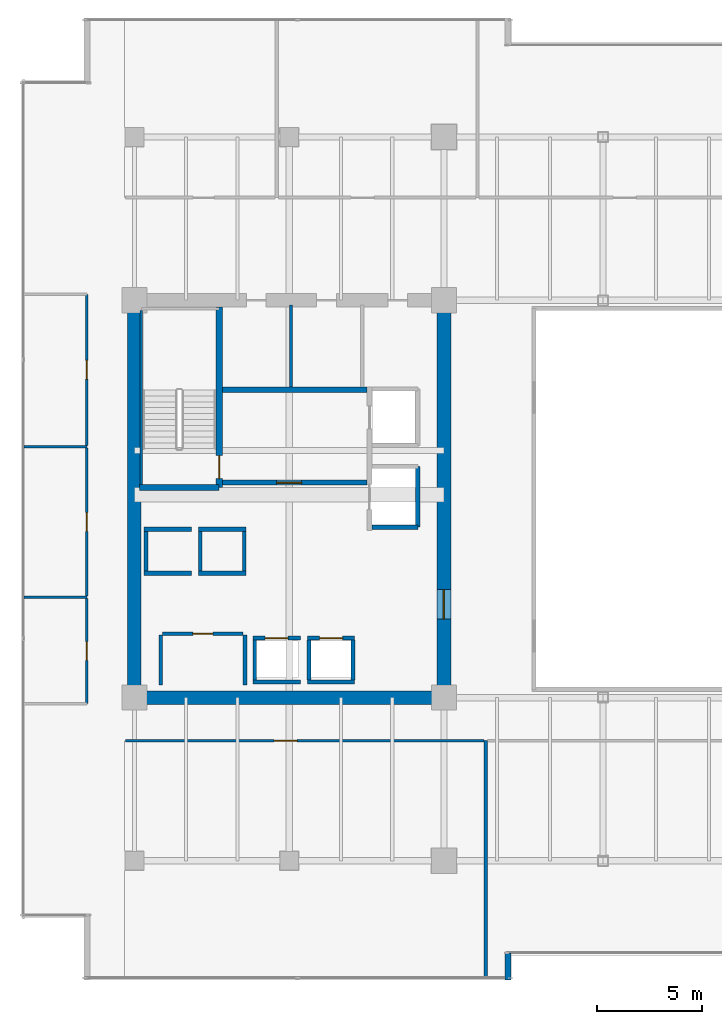
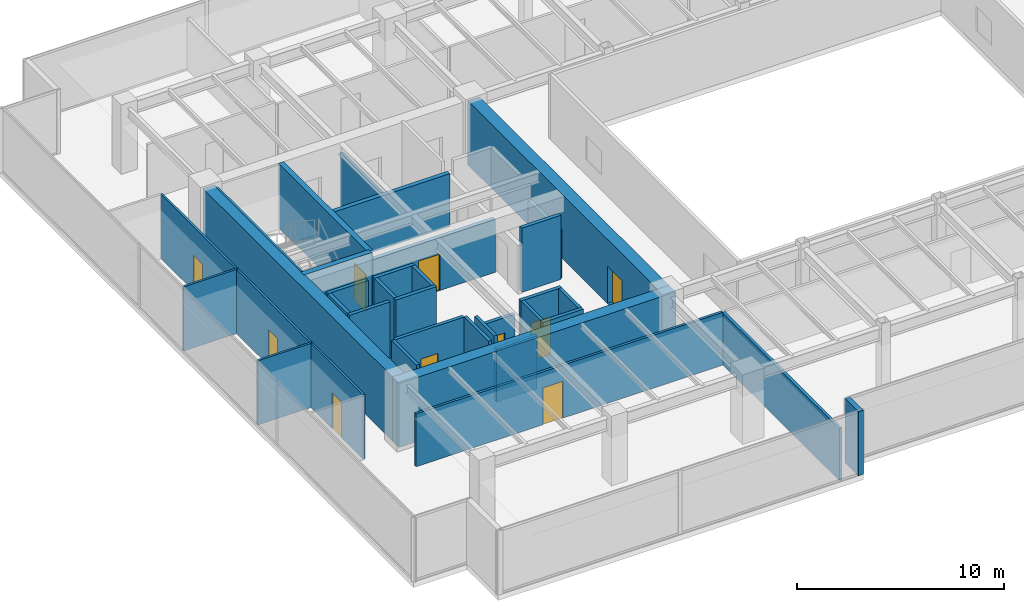
# One storey, part 25 of 33: 36 walls, 10 doors, 10 openings.
"""IFC4 building model written with IfcOpenShell, lengths in metres."""

from ifc_helpers import new_model, si_unit, direction, frame, frame_2d, origin, place, context, subcontext, project, spatial, rectangle, extrude, source, transform, mapped, material, layer, layer_set, type_object, type_shapes, element, fill, save


model = new_model("IFC4")

# Units and contexts
model_context = context("Model", 3, precision=1e-05, world=origin(), true_north=direction((0.0, 1.0)))
body_context = subcontext(model_context, "Body", "Model", "MODEL_VIEW")
ifc_project = project(units=[si_unit("LENGTHUNIT", "METRE"), si_unit("AREAUNIT", "SQUARE_METRE"), si_unit("VOLUMEUNIT", "CUBIC_METRE"), si_unit("PLANEANGLEUNIT", "RADIAN"), si_unit("MASSUNIT", "GRAM", prefix="KILO")], contexts=[model_context])

# Site, building, storey
site_placement = place(None, origin())
site = spatial("IfcSite", under=ifc_project, at=site_placement, CompositionType="ELEMENT")
building_placement = place(site_placement, origin())
building = spatial("IfcBuilding", under=site, at=building_placement, Name="Haelvirn Gate Laboratories", CompositionType="ELEMENT")
storey_placement = place(building_placement, frame((0.0, 0.0, 133.800048828125)))
storey = spatial("IfcBuildingStorey", under=building, at=storey_placement, Name="L32", CompositionType="ELEMENT", Elevation=133.800048828125)

# Walls
ifc_material_1 = material(Name="Thermally-broken bronze aluminium rainscreen & mineral wool", Category="aluminium")
ifc_layer_1 = layer(ifc_material_1, 0.280029296875, Name="EW-TERR-280")
ifc_layer_set_1 = layer_set([ifc_layer_1], Name="Thermally-broken bronze aluminium rainscreen & mineral wool")
wall_type_1 = type_object("IfcWallType", Name="EW-TERR-280", PredefinedType="STANDARD", material=ifc_layer_set_1)
wall_1_placement = place(storey_placement, frame((25.260009765625, 1.300048828125, 0.0), z_axis=(0.0, 0.0, 1.0), x_axis=(0.0, 1.0, 0.0)))
element("IfcWall", 1, at=wall_1_placement, inside=storey, type_object=wall_type_1, Name="L32 Atrium Recess Bronze Return Wall 01", PredefinedType="STANDARD", context=body_context, shape_type="SweptSolid", body=[
    extrude(rectangle(XDim=1.287841796875, YDim=0.280029296875, at=frame_2d((0.64404296875, 0.0))), origin(), (0.0, 0.0, 1.0), 3.7900390625),
])
ifc_material_2 = material(Name="Double-layer acoustic gypsum laboratory partition", Category="gypsum")
ifc_layer_2 = layer(ifc_material_2, 0.159912109375, Name="IW-ACOUST-160")
ifc_layer_set_2 = layer_set([ifc_layer_2], Name="Double-layer acoustic gypsum laboratory partition")
wall_type_2 = type_object("IfcWallType", Name="IW-ACOUST-160", PredefinedType="PARTITIONING", material=ifc_layer_set_2)
wall_2_placement = place(storey_placement, frame((24.199951171875, 1.409912109375, 0.0), z_axis=(0.0, 0.0, 1.0), x_axis=(0.0, 1.0, 0.0)))
element("IfcWall", 2, at=wall_2_placement, inside=storey, type_object=wall_type_2, Name="L32 Interior Wall IW-L32-SDIV-01", PredefinedType="PARTITIONING", context=body_context, shape_type="SweptSolid", body=[
    extrude(rectangle(XDim=11.330078125, YDim=0.159912109375, at=frame_2d((5.6650390625, 0.0))), origin(), (0.0, 0.0, 1.0), 3.074951171875),
])

# Wall, opening, door
ifc_material_3 = material(Name="Lightweight acoustic gypsum board partition", Category="gypsum")
ifc_layer_3 = layer(ifc_material_3, 0.1201171875, Name="IW-PART-120")
ifc_layer_set_3 = layer_set([ifc_layer_3], Name="Lightweight acoustic gypsum board partition")
wall_type_3 = type_object("IfcWallType", Name="IW-PART-120", PredefinedType="PARTITIONING", material=ifc_layer_set_3)
wall_3_placement = place(storey_placement, frame((5.1298828125, 14.514892578125, 0.0), z_axis=(0.0, 0.0, 1.0), x_axis=(0.0, 1.0, 0.0)))
wall_3 = element("IfcWall", 3, at=wall_3_placement, inside=storey, type_object=wall_type_3, Name="L32 Interior Wall IW-L32-WPASS-01", PredefinedType="PARTITIONING", context=body_context, shape_type="SweptSolid", body=[
    extrude(rectangle(XDim=5.025146484375, YDim=0.1201171875, at=frame_2d((2.5126953125, 0.0))), origin(), (0.0, 0.0, 1.0), 3.7900390625),
])
opening_1_placement = place(wall_3_placement, frame((2.0625, 0.0, 0.0)))
opening_1 = element("IfcOpeningElement", 4, at=opening_1_placement, cuts=wall_3, Name="Opening D4", PredefinedType="OPENING", context=body_context, shape_type="SweptSolid", body=[
    extrude(rectangle(XDim=0.89990234375, YDim=2.10009765625, at=frame_2d((0.449951171875, 1.050048828125))), frame((0.0, 0.070068359375, 0.0), z_axis=(0.0, -1.0, 0.0), x_axis=(1.0, 0.0, 0.0)), (0.0, 0.0, 1.0), 0.14013671875),
])
ifc_material_4 = material(Name="Glazed aluminium-framed write-up door", Category="aluminium")
door_type_1 = type_object("IfcDoorType", Name="DR-OFF-900", OperationType="NOTDEFINED", PredefinedType="DOOR", material=ifc_material_4)
shared_shape_1 = source(origin(), body_context, "Body", "SweptSolid", [
    extrude(rectangle(XDim=0.89990234375, YDim=2.10009765625, at=frame_2d((0.449951171875, 1.050048828125))), frame((0.0, 0.02490234375, 0.0), z_axis=(0.0, -1.0, 0.0), x_axis=(1.0, 0.0, 0.0)), (0.0, 0.0, 1.0), 0.050048828125),
])
type_shapes(door_type_1, [shared_shape_1])
door_1_placement = place(opening_1_placement, origin())
door_1 = element("IfcDoor", 5, at=door_1_placement, inside=storey, type_object=door_type_1, Name="L32 Bioprocess Foundry Laboratory Door W1", OperationType="SINGLE_SWING_LEFT", OverallHeight=2.10009765625, OverallWidth=0.89990234375, PredefinedType="DOOR", context=body_context, shape_type="MappedRepresentation", body=[
    mapped(shared_shape_1, transform((0.0, 0.0, 0.0), scale=1.0)),
])
fill(opening_1, door_1)

# Wall
wall_4_placement = place(storey_placement, frame((2.110107421875, 19.60009765625, 0.0), z_axis=(0.0, 0.0, 1.0), x_axis=(1.0, 0.0, 0.0)))
element("IfcWall", 6, at=wall_4_placement, inside=storey, type_object=wall_type_3, Name="L32 Interior Wall IW-L32-WDIV-01", PredefinedType="PARTITIONING", context=body_context, shape_type="SweptSolid", body=[
    extrude(rectangle(XDim=3.019775390625, YDim=0.1201171875, at=frame_2d((1.509765625, 0.0))), origin(), (0.0, 0.0, 1.0), 3.7900390625),
])

# Wall, opening, door
wall_5_placement = place(storey_placement, frame((5.1298828125, 19.659912109375, 0.0), z_axis=(0.0, 0.0, 1.0), x_axis=(0.0, 1.0, 0.0)))
wall_5 = element("IfcWall", 7, at=wall_5_placement, inside=storey, type_object=wall_type_3, Name="L32 Interior Wall IW-L32-WPASS-02", PredefinedType="PARTITIONING", context=body_context, shape_type="SweptSolid", body=[
    extrude(rectangle(XDim=7.080078125, YDim=0.1201171875, at=frame_2d((3.5400390625, 0.0))), origin(), (0.0, 0.0, 1.0), 3.7900390625),
])
opening_2_placement = place(wall_5_placement, frame((3.090087890625, 0.0, 0.0)))
opening_2 = element("IfcOpeningElement", 8, at=opening_2_placement, cuts=wall_5, Name="Opening D4", PredefinedType="OPENING", context=body_context, shape_type="SweptSolid", body=[
    extrude(rectangle(XDim=0.89990234375, YDim=2.10009765625, at=frame_2d((0.449951171875, 1.050048828125))), frame((0.0, 0.070068359375, 0.0), z_axis=(0.0, -1.0, 0.0), x_axis=(1.0, 0.0, 0.0)), (0.0, 0.0, 1.0), 0.14013671875),
])
door_2_placement = place(opening_2_placement, origin())
door_2 = element("IfcDoor", 9, at=door_2_placement, inside=storey, type_object=door_type_1, Name="L32 Genomics Assay Laboratory Door W2", OperationType="SINGLE_SWING_RIGHT", OverallHeight=2.10009765625, OverallWidth=0.89990234375, PredefinedType="DOOR", context=body_context, shape_type="MappedRepresentation", body=[
    mapped(shared_shape_1, transform((0.0, 0.0, 0.0), scale=1.0)),
])
fill(opening_2, door_2)

# Wall
wall_6_placement = place(storey_placement, frame((2.110107421875, 26.800048828125, 0.0), z_axis=(0.0, 0.0, 1.0), x_axis=(1.0, 0.0, 0.0)))
element("IfcWall", 10, at=wall_6_placement, inside=storey, type_object=wall_type_3, Name="L32 Interior Wall IW-L32-WDIV-02", PredefinedType="PARTITIONING", context=body_context, shape_type="SweptSolid", body=[
    extrude(rectangle(XDim=3.019775390625, YDim=0.1201171875, at=frame_2d((1.509765625, 0.0))), origin(), (0.0, 0.0, 1.0), 3.7900390625),
])

# Wall, opening, door
wall_7_placement = place(storey_placement, frame((5.1298828125, 26.860107421875, 0.0), z_axis=(0.0, 0.0, 1.0), x_axis=(0.0, 1.0, 0.0)))
wall_7 = element("IfcWall", 11, at=wall_7_placement, inside=storey, type_object=wall_type_3, Name="L32 Interior Wall IW-L32-WPASS-03", PredefinedType="PARTITIONING", context=body_context, shape_type="SweptSolid", body=[
    extrude(rectangle(XDim=7.224853515625, YDim=0.1201171875, at=frame_2d((3.6123046875, 0.0))), origin(), (0.0, 0.0, 1.0), 3.7900390625),
])
opening_3_placement = place(wall_7_placement, frame((3.16259765625, 0.0, 0.0)))
opening_3 = element("IfcOpeningElement", 12, at=opening_3_placement, cuts=wall_7, Name="Opening D4", PredefinedType="OPENING", context=body_context, shape_type="SweptSolid", body=[
    extrude(rectangle(XDim=0.89990234375, YDim=2.10009765625, at=frame_2d((0.449951171875, 1.050048828125))), frame((0.0, 0.070068359375, 0.0), z_axis=(0.0, -1.0, 0.0), x_axis=(1.0, 0.0, 0.0)), (0.0, 0.0, 1.0), 0.14013671875),
])
door_3_placement = place(opening_3_placement, origin())
door_3 = element("IfcDoor", 13, at=door_3_placement, inside=storey, type_object=door_type_1, Name="L32 Proteomics Mass-Spec Laboratory Door W3", OperationType="SINGLE_SWING_LEFT", OverallHeight=2.10009765625, OverallWidth=0.89990234375, PredefinedType="DOOR", context=body_context, shape_type="MappedRepresentation", body=[
    mapped(shared_shape_1, transform((0.0, 0.0, 0.0), scale=1.0)),
])
fill(opening_3, door_3)

ifc_material_5 = material(Name="Acoustic mineral-wool gypsum board partition", Category="gypsum")
ifc_layer_4 = layer(ifc_material_5, 0.139892578125, Name="IW-PART-140")
ifc_layer_set_4 = layer_set([ifc_layer_4], Name="Acoustic mineral-wool gypsum board partition")
wall_type_4 = type_object("IfcWallType", Name="IW-PART-140", PredefinedType="PARTITIONING", material=ifc_layer_set_4)
wall_8_placement = place(storey_placement, frame((6.97998046875, 12.739990234375, 0.0), z_axis=(0.0, 0.0, 1.0), x_axis=(1.0, 0.0, 0.0)))
wall_8 = element("IfcWall", 14, at=wall_8_placement, inside=storey, type_object=wall_type_4, Name="L32 Interior Wall IW-L32-SCORR-01", PredefinedType="PARTITIONING", context=body_context, shape_type="SweptSolid", body=[
    extrude(rectangle(XDim=17.14013671875, YDim=0.139892578125, at=frame_2d((8.570068359375, 0.0))), origin(), (0.0, 0.0, 1.0), 3.125),
])
opening_4_placement = place(wall_8_placement, frame((7.099609375, 0.0, 0.0)))
opening_4 = element("IfcOpeningElement", 15, at=opening_4_placement, cuts=wall_8, Name="Opening D1", PredefinedType="OPENING", context=body_context, shape_type="SweptSolid", body=[
    extrude(rectangle(XDim=1.10009765625, YDim=2.179931640625, at=frame_2d((0.550048828125, 1.08984375))), frame((0.0, 0.080078125, 0.0), z_axis=(0.0, -1.0, 0.0), x_axis=(1.0, 0.0, 0.0)), (0.0, 0.0, 1.0), 0.159912109375),
])
ifc_material_6 = material(Name="Vision-panel acoustic solid-core timber lab door", Category="wood")
door_type_2 = type_object("IfcDoorType", Name="DR-LAB-1100", OperationType="NOTDEFINED", PredefinedType="DOOR", material=ifc_material_6)
shared_shape_2 = source(origin(), body_context, "Body", "SweptSolid", [
    extrude(rectangle(XDim=1.10009765625, YDim=2.179931640625, at=frame_2d((0.550048828125, 1.08984375))), frame((0.0, 0.02490234375, 0.0), z_axis=(0.0, -1.0, 0.0), x_axis=(1.0, 0.0, 0.0)), (0.0, 0.0, 1.0), 0.050048828125),
])
type_shapes(door_type_2, [shared_shape_2])
door_4_placement = place(opening_4_placement, origin())
door_4 = element("IfcDoor", 16, at=door_4_placement, inside=storey, type_object=door_type_2, Name="L32 Bioinformatics Dry-Lab Workspace Door S1", OperationType="SINGLE_SWING_LEFT", OverallHeight=2.179931640625, OverallWidth=1.10009765625, PredefinedType="DOOR", context=body_context, shape_type="MappedRepresentation", body=[
    mapped(shared_shape_2, transform((0.0, 0.0, 0.0), scale=1.0)),
])
fill(opening_4, door_4)

# Walls
ifc_material_7 = material(Name="Cement-board restroom plumbing chase wall", Category="gypsum")
ifc_layer_5 = layer(ifc_material_7, 0.155029296875, Name="IW-PLUMB-160")
ifc_layer_set_5 = layer_set([ifc_layer_5], Name="Cement-board restroom plumbing chase wall")
wall_type_5 = type_object("IfcWallType", Name="IW-PLUMB-160", PredefinedType="PLUMBINGWALL", material=ifc_layer_set_5)
wall_9_placement = place(storey_placement, frame((14.889892578125, 29.64990234375, 0.0), z_axis=(0.0, 0.0, 1.0), x_axis=(0.0, 1.0, 0.0)))
element("IfcWall", 17, at=wall_9_placement, inside=storey, type_object=wall_type_5, Name="L32 Interior Wall IW-L32-W-CDIV-1", PredefinedType="PLUMBINGWALL", context=body_context, shape_type="SweptSolid", body=[
    extrude(rectangle(XDim=3.93017578125, YDim=0.155029296875, at=frame_2d((1.965087890625, 0.0))), origin(), (0.0, 0.0, 1.0), 3.125),
])
ifc_material_8 = material(Name="Concrete C40/50", Category="concrete")
ifc_layer_6 = layer(ifc_material_8, 0.179931640625, Name="IW-SHAFT-180")
ifc_layer_set_6 = layer_set([ifc_layer_6], Name="Concrete C40/50")
wall_type_6 = type_object("IfcWallType", Name="IW-SHAFT-180", PredefinedType="SOLIDWALL", material=ifc_layer_set_6)
for number, where, z_axis, x_axis, name in (
    (18, (13.14990234375, 15.64990234375, 0.0), (0.0, 0.0, 1.0), (0.0, 1.0, 0.0), "L32 Interior Wall IW-L32-PL5-SD"),
    (19, (15.75, 15.64990234375, 0.0), (0.0, 0.0, 1.0), (0.0, 1.0, 0.0), "L32 Interior Wall IW-L32-PL6-SD"),
    (20, (17.85009765625, 15.64990234375, 0.0), (0.0, 0.0, 1.0), (0.0, 1.0, 0.0), "L32 Interior Wall IW-L32-PL6-SDE"),
):
    element("IfcWall", number, at=place(storey_placement, frame(where, z_axis=z_axis, x_axis=x_axis)), inside=storey, type_object=wall_type_6, Name=name, PredefinedType="SOLIDWALL", context=body_context, shape_type="SweptSolid", body=[
        extrude(rectangle(XDim=1.900146484375, YDim=0.179931640625, at=frame_2d((0.9501953125, 0.0))), origin(), (0.0, 0.0, 1.0), 3.7900390625),
    ])
for number, where, z_axis, x_axis, name in (
    (21, (7.949951171875, 20.85009765625, 0.0), (0.0, 0.0, 1.0), (0.0, 1.0, 0.0), "L32 Interior Wall IW-L32-PL9-SD"),
    (22, (10.550048828125, 20.85009765625, 0.0), (0.0, 0.0, 1.0), (0.0, 1.0, 0.0), "L32 Interior Wall IW-L32-PL10-SD"),
    (23, (12.64990234375, 20.85009765625, 0.0), (0.0, 0.0, 1.0), (0.0, 1.0, 0.0), "L32 Interior Wall IW-L32-PL10-SDE"),
):
    element("IfcWall", number, at=place(storey_placement, frame(where, z_axis=z_axis, x_axis=x_axis)), inside=storey, type_object=wall_type_6, Name=name, PredefinedType="SOLIDWALL", context=body_context, shape_type="SweptSolid", body=[
        extrude(rectangle(XDim=1.89990234375, YDim=0.179931640625, at=frame_2d((0.949951171875, 0.0))), origin(), (0.0, 0.0, 1.0), 3.7900390625),
    ])

# Wall, opening, door
wall_10_placement = place(storey_placement, frame((8.75, 17.85009765625, 0.0), z_axis=(0.0, 0.0, 1.0), x_axis=(1.0, 0.0, 0.0)))
wall_10 = element("IfcWall", 24, at=wall_10_placement, inside=storey, type_object=wall_type_6, Name="L32 Interior Wall IW-L32-W-FREED-LN-1", PredefinedType="SOLIDWALL", context=body_context, shape_type="SweptSolid", body=[
    extrude(rectangle(XDim=3.85009765625, YDim=0.179931640625, at=frame_2d((1.925048828125, 0.0))), origin(), (0.0, 0.0, 1.0), 3.7900390625),
])
opening_5_placement = place(wall_10_placement, frame((1.449951171875, 0.0, 0.0)))
opening_5 = element("IfcOpeningElement", 25, at=opening_5_placement, cuts=wall_10, Name="Opening FD4", PredefinedType="OPENING", context=body_context, shape_type="SweptSolid", body=[
    extrude(rectangle(XDim=0.949951171875, YDim=2.14990234375, at=frame_2d((0.47509765625, 1.074951171875))), frame((0.0, 0.10009765625, 0.0), z_axis=(0.0, -1.0, 0.0), x_axis=(1.0, 0.0, 0.0)), (0.0, 0.0, 1.0), 0.199951171875),
])
ifc_material_9 = material(Name="Fire-rated steel SM355 core service door", Category="steel")
door_type_3 = type_object("IfcDoorType", Name="DR-FD-950", OperationType="NOTDEFINED", PredefinedType="DOOR", material=ifc_material_9)
shared_shape_3 = source(origin(), body_context, "Body", "SweptSolid", [
    extrude(rectangle(XDim=0.949951171875, YDim=2.14990234375, at=frame_2d((0.47509765625, 1.074951171875))), frame((0.0, 0.02490234375, 0.0), z_axis=(0.0, -1.0, 0.0), x_axis=(1.0, 0.0, 0.0)), (0.0, 0.0, 1.0), 0.050048828125),
])
type_shapes(door_type_3, [shared_shape_3])
door_5_placement = place(opening_5_placement, origin())
door_5 = element("IfcDoor", 26, at=door_5_placement, inside=storey, type_object=door_type_3, Name="L32 Cryo-Dewar & Sterile Glassware Room Door", OperationType="SINGLE_SWING_LEFT", OverallHeight=2.14990234375, OverallWidth=0.949951171875, PredefinedType="DOOR", context=body_context, shape_type="MappedRepresentation", body=[
    mapped(shared_shape_3, transform((0.0, 0.0, 0.0), scale=1.0)),
])
fill(opening_5, door_5)

# Walls
for number, where, z_axis, x_axis, name in (
    (27, (12.68994140625, 15.39990234375, 0.0), (0.0, 0.0, 1.0), (0.0, 1.0, 0.0), "L32 Interior Wall IW-L32-W-FREED-LE-1"),
    (28, (8.659912109375, 15.39990234375, 0.0), (0.0, 0.0, 1.0), (0.0, 1.0, 0.0), "L32 Interior Wall IW-L32-W-FREED-LW-1"),
):
    element("IfcWall", number, at=place(storey_placement, frame(where, z_axis=z_axis, x_axis=x_axis)), inside=storey, type_object=wall_type_6, Name=name, PredefinedType="SOLIDWALL", context=body_context, shape_type="SweptSolid", body=[
        extrude(rectangle(XDim=2.400146484375, YDim=0.179931640625, at=frame_2d((1.2001953125, 0.0))), origin(), (0.0, 0.0, 1.0), 3.7900390625),
    ])

# Wall, opening, door
ifc_layer_7 = layer(ifc_material_8, 0.199951171875, Name="IW-SHAFT-200")
ifc_layer_set_7 = layer_set([ifc_layer_7], Name="Concrete C40/50")
wall_type_7 = type_object("IfcWallType", Name="IW-SHAFT-200", PredefinedType="SOLIDWALL", material=ifc_layer_set_7)
wall_11_placement = place(storey_placement, frame((13.070068359375, 17.64990234375, 0.0), z_axis=(0.0, 0.0, 1.0), x_axis=(1.0, 0.0, 0.0)))
wall_11 = element("IfcWall", 29, at=wall_11_placement, inside=storey, type_object=wall_type_7, Name="L32 Interior Wall IW-L32-PL5-FR", PredefinedType="SOLIDWALL", context=body_context, shape_type="SweptSolid", body=[
    extrude(rectangle(XDim=2.260009765625, YDim=0.199951171875, at=frame_2d((1.1298828125, 0.0))), origin(), (0.0, 0.0, 1.0), 3.125),
])
opening_6_placement = place(wall_11_placement, frame((0.580078125, 0.0, 0.0)))
opening_6 = element("IfcOpeningElement", 30, at=opening_6_placement, cuts=wall_11, Name="Opening LD2", PredefinedType="OPENING", context=body_context, shape_type="SweptSolid", body=[
    extrude(rectangle(XDim=1.10009765625, YDim=2.219970703125, at=frame_2d((0.550048828125, 1.10986328125))), frame((0.0, 0.10986328125, 0.0), z_axis=(0.0, -1.0, 0.0), x_axis=(1.0, 0.0, 0.0)), (0.0, 0.0, 1.0), 0.219970703125),
])
ifc_material_10 = material(Name="Bronze stainless 316L sliding lift landing door")
door_type_4 = type_object("IfcDoorType", Name="DR-LD-1100", OperationType="NOTDEFINED", PredefinedType="USERDEFINED", material=ifc_material_10)
shared_shape_4 = source(origin(), body_context, "Body", "SweptSolid", [
    extrude(rectangle(XDim=1.10009765625, YDim=2.219970703125, at=frame_2d((0.550048828125, 1.10986328125))), frame((0.0, 0.02490234375, 0.0), z_axis=(0.0, -1.0, 0.0), x_axis=(1.0, 0.0, 0.0)), (0.0, 0.0, 1.0), 0.050048828125),
])
type_shapes(door_type_4, [shared_shape_4])
door_6_placement = place(opening_6_placement, origin())
door_6 = element("IfcDoor", 31, at=door_6_placement, inside=storey, type_object=door_type_4, Name="L32 Passenger Lift PL5 Landing Door", ObjectType="LANDING_DOOR", OperationType="SLIDING_TO_LEFT", OverallHeight=2.219970703125, OverallWidth=1.10009765625, PredefinedType="USERDEFINED", context=body_context, shape_type="MappedRepresentation", body=[
    mapped(shared_shape_4, transform((0.0, 0.0, 0.0), scale=1.0)),
])
fill(opening_6, door_6)

# Wall
wall_12_placement = place(storey_placement, frame((13.070068359375, 15.550048828125, 0.0), z_axis=(0.0, 0.0, 1.0), x_axis=(1.0, 0.0, 0.0)))
element("IfcWall", 32, at=wall_12_placement, inside=storey, type_object=wall_type_7, Name="L32 Interior Wall IW-L32-PL5-BK", PredefinedType="SOLIDWALL", context=body_context, shape_type="SweptSolid", body=[
    extrude(rectangle(XDim=2.260009765625, YDim=0.199951171875, at=frame_2d((1.1298828125, 0.0))), origin(), (0.0, 0.0, 1.0), 3.125),
])

# Wall, opening, door
wall_13_placement = place(storey_placement, frame((15.669921875, 17.64990234375, 0.0), z_axis=(0.0, 0.0, 1.0), x_axis=(1.0, 0.0, 0.0)))
wall_13 = element("IfcWall", 33, at=wall_13_placement, inside=storey, type_object=wall_type_7, Name="L32 Interior Wall IW-L32-PL6-FR", PredefinedType="SOLIDWALL", context=body_context, shape_type="SweptSolid", body=[
    extrude(rectangle(XDim=2.260009765625, YDim=0.199951171875, at=frame_2d((1.1298828125, 0.0))), origin(), (0.0, 0.0, 1.0), 3.7900390625),
])
opening_7_placement = place(wall_13_placement, frame((0.580078125, 0.0, 0.0)))
opening_7 = element("IfcOpeningElement", 34, at=opening_7_placement, cuts=wall_13, Name="Opening LD2", PredefinedType="OPENING", context=body_context, shape_type="SweptSolid", body=[
    extrude(rectangle(XDim=1.10009765625, YDim=2.219970703125, at=frame_2d((0.550048828125, 1.10986328125))), frame((0.0, 0.10986328125, 0.0), z_axis=(0.0, -1.0, 0.0), x_axis=(1.0, 0.0, 0.0)), (0.0, 0.0, 1.0), 0.219970703125),
])
door_7_placement = place(opening_7_placement, origin())
door_7 = element("IfcDoor", 35, at=door_7_placement, inside=storey, type_object=door_type_4, Name="L32 Passenger Lift PL6 Landing Door", ObjectType="LANDING_DOOR", OperationType="SLIDING_TO_RIGHT", OverallHeight=2.219970703125, OverallWidth=1.10009765625, PredefinedType="USERDEFINED", context=body_context, shape_type="MappedRepresentation", body=[
    mapped(shared_shape_4, transform((0.0, 0.0, 0.0), scale=1.0)),
])
fill(opening_7, door_7)

# Walls
wall_14_placement = place(storey_placement, frame((15.669921875, 15.550048828125, 0.0), z_axis=(0.0, 0.0, 1.0), x_axis=(1.0, 0.0, 0.0)))
element("IfcWall", 36, at=wall_14_placement, inside=storey, type_object=wall_type_7, Name="L32 Interior Wall IW-L32-PL6-BK", PredefinedType="SOLIDWALL", context=body_context, shape_type="SweptSolid", body=[
    extrude(rectangle(XDim=2.260009765625, YDim=0.199951171875, at=frame_2d((1.1298828125, 0.0))), origin(), (0.0, 0.0, 1.0), 3.7900390625),
])
for number, where, z_axis, x_axis, name in (
    (37, (7.8701171875, 20.75, 0.0), (0.0, 0.0, 1.0), (1.0, 0.0, 0.0), "L32 Interior Wall IW-L32-PL9-FR"),
    (38, (7.8701171875, 22.85009765625, 0.0), (0.0, 0.0, 1.0), (1.0, 0.0, 0.0), "L32 Interior Wall IW-L32-PL9-BK"),
):
    element("IfcWall", number, at=place(storey_placement, frame(where, z_axis=z_axis, x_axis=x_axis)), inside=storey, type_object=wall_type_7, Name=name, PredefinedType="SOLIDWALL", context=body_context, shape_type="SweptSolid", body=[
        extrude(rectangle(XDim=2.259765625, YDim=0.199951171875, at=frame_2d((1.1298828125, 0.0))), origin(), (0.0, 0.0, 1.0), 3.7900390625),
    ])
for number, where, z_axis, x_axis, name in (
    (39, (10.469970703125, 20.75, 0.0), (0.0, 0.0, 1.0), (1.0, 0.0, 0.0), "L32 Interior Wall IW-L32-PL10-FR"),
    (40, (10.469970703125, 22.85009765625, 0.0), (0.0, 0.0, 1.0), (1.0, 0.0, 0.0), "L32 Interior Wall IW-L32-PL10-BK"),
):
    element("IfcWall", number, at=place(storey_placement, frame(where, z_axis=z_axis, x_axis=x_axis)), inside=storey, type_object=wall_type_7, Name=name, PredefinedType="SOLIDWALL", context=body_context, shape_type="SweptSolid", body=[
        extrude(rectangle(XDim=2.260009765625, YDim=0.199951171875, at=frame_2d((1.1298828125, 0.0))), origin(), (0.0, 0.0, 1.0), 3.7900390625),
    ])
wall_15_placement = place(storey_placement, frame((20.949951171875, 22.949951171875, 0.0), z_axis=(0.0, 0.0, 1.0), x_axis=(0.0, 1.0, 0.0)))
element("IfcWall", 41, at=wall_15_placement, inside=storey, type_object=wall_type_7, Name="L32 Interior Wall IW-L32-SL1-BK", PredefinedType="SOLIDWALL", context=body_context, shape_type="SweptSolid", body=[
    extrude(rectangle(XDim=2.900146484375, YDim=0.199951171875, at=frame_2d((1.4501953125, 0.0))), origin(), (0.0, 0.0, 1.0), 2.875),
])
wall_16_placement = place(storey_placement, frame((18.760009765625, 22.949951171875, 0.0), z_axis=(0.0, 0.0, 1.0), x_axis=(1.0, 0.0, 0.0)))
element("IfcWall", 42, at=wall_16_placement, inside=storey, type_object=wall_type_7, Name="L32 Interior Wall IW-L32-SL1-S", PredefinedType="SOLIDWALL", context=body_context, shape_type="SweptSolid", body=[
    extrude(rectangle(XDim=2.18994140625, YDim=0.199951171875, at=frame_2d((1.094970703125, 0.0))), origin(), (0.0, 0.0, 1.0), 3.7900390625),
])

# Wall, opening, door
ifc_layer_8 = layer(ifc_material_8, 0.239990234375, Name="IW-SHAFT-240")
ifc_layer_set_8 = layer_set([ifc_layer_8], Name="Concrete C40/50")
wall_type_8 = type_object("IfcWallType", Name="IW-SHAFT-240", PredefinedType="SOLIDWALL", material=ifc_layer_set_8)
wall_17_placement = place(storey_placement, frame((11.60009765625, 25.080078125, 0.0), z_axis=(0.0, 0.0, 1.0), x_axis=(1.0, 0.0, 0.0)))
wall_17 = element("IfcWall", 43, at=wall_17_placement, inside=storey, type_object=wall_type_8, Name="L32 Interior Wall IW-L32-W-FF-S", PredefinedType="SOLIDWALL", context=body_context, shape_type="SweptSolid", body=[
    extrude(rectangle(XDim=6.919921875, YDim=0.239990234375, at=frame_2d((3.4599609375, 0.0))), origin(), (0.0, 0.0, 1.0), 3.125),
])
opening_8_placement = place(wall_17_placement, frame((2.60009765625, 0.0, 0.0)))
opening_8 = element("IfcOpeningElement", 44, at=opening_8_placement, cuts=wall_17, Name="Opening FD2", PredefinedType="OPENING", context=body_context, shape_type="SweptSolid", body=[
    extrude(rectangle(XDim=1.199951171875, YDim=2.159912109375, at=frame_2d((0.60009765625, 1.080078125))), frame((0.0, 0.1298828125, 0.0), z_axis=(0.0, -1.0, 0.0), x_axis=(1.0, 0.0, 0.0)), (0.0, 0.0, 1.0), 0.260009765625),
])
ifc_material_11 = material(Name="Fire-rated steel SM355 compartment door", Category="steel")
door_type_5 = type_object("IfcDoorType", Name="DR-FD-1200", OperationType="NOTDEFINED", PredefinedType="DOOR", material=ifc_material_11)
shared_shape_5 = source(origin(), body_context, "Body", "SweptSolid", [
    extrude(rectangle(XDim=1.199951171875, YDim=2.159912109375, at=frame_2d((0.60009765625, 1.080078125))), frame((0.0, 0.02490234375, 0.0), z_axis=(0.0, -1.0, 0.0), x_axis=(1.0, 0.0, 0.0)), (0.0, 0.0, 1.0), 0.050048828125),
])
type_shapes(door_type_5, [shared_shape_5])
door_8_placement = place(opening_8_placement, origin())
door_8 = element("IfcDoor", 45, at=door_8_placement, inside=storey, type_object=door_type_5, Name="L32 West Firefighting Lobby Door", OperationType="SINGLE_SWING_RIGHT", OverallHeight=2.159912109375, OverallWidth=1.199951171875, PredefinedType="DOOR", context=body_context, shape_type="MappedRepresentation", body=[
    mapped(shared_shape_5, transform((0.0, 0.0, 0.0), scale=1.0)),
])
fill(opening_8, door_8)

# Walls
wall_18_placement = place(storey_placement, frame((11.60009765625, 29.52001953125, 0.0), z_axis=(0.0, 0.0, 1.0), x_axis=(1.0, 0.0, 0.0)))
element("IfcWall", 46, at=wall_18_placement, inside=storey, type_object=wall_type_8, Name="L32 Interior Wall IW-L32-W-FF-N", PredefinedType="SOLIDWALL", context=body_context, shape_type="SweptSolid", body=[
    extrude(rectangle(XDim=6.919921875, YDim=0.239990234375, at=frame_2d((3.4599609375, 0.0))), origin(), (0.0, 0.0, 1.0), 3.125),
])
ifc_material_12 = material(Name="Concrete C60/75", Category="concrete")
ifc_layer_9 = layer(ifc_material_12, 0.64990234375, Name="SW-CORE-650")
ifc_layer_set_9 = layer_set([ifc_layer_9], Name="Concrete C60/75")
wall_type_9 = type_object("IfcWallType", Name="SW-CORE-650", PredefinedType="SHEAR", material=ifc_layer_set_9)
wall_19_placement = place(storey_placement, frame((7.074951171875, 14.800048828125, 0.0), z_axis=(0.0, 0.0, 1.0), x_axis=(1.0, 0.0, 0.0)))
element("IfcWall", 47, at=wall_19_placement, inside=storey, type_object=wall_type_9, Name="L32 W Core Shear Wall S", PredefinedType="SHEAR", context=body_context, shape_type="SweptSolid", body=[
    extrude(rectangle(XDim=15.449951171875, YDim=0.64990234375, at=frame_2d((7.72509765625, 0.0))), origin(), (0.0, 0.0, 1.0), 3.7900390625),
])
wall_20_placement = place(storey_placement, frame((7.39990234375, 15.125, 0.0), z_axis=(0.0, 0.0, 1.0), x_axis=(0.0, 1.0, 0.0)))
element("IfcWall", 48, at=wall_20_placement, inside=storey, type_object=wall_type_9, Name="L32 W Core Shear Wall W", PredefinedType="SHEAR", context=body_context, shape_type="SweptSolid", body=[
    extrude(rectangle(XDim=18.35009765625, YDim=0.64990234375, at=frame_2d((9.175048828125, 0.0))), origin(), (0.0, 0.0, 1.0), 3.7900390625),
])

# Wall, opening, door
wall_21_placement = place(storey_placement, frame((22.199951171875, 15.125, 0.0), z_axis=(0.0, 0.0, 1.0), x_axis=(0.0, 1.0, 0.0)))
wall_21 = element("IfcWall", 49, at=wall_21_placement, inside=storey, type_object=wall_type_9, Name="L32 W Core Shear Wall E", PredefinedType="SHEAR", context=body_context, shape_type="SweptSolid", body=[
    extrude(rectangle(XDim=18.35009765625, YDim=0.64990234375, at=frame_2d((9.175048828125, 0.0))), origin(), (0.0, 0.0, 1.0), 3.7900390625),
])
opening_9_placement = place(wall_21_placement, frame((3.425048828125, 0.0, 0.0)))
opening_9 = element("IfcOpeningElement", 50, at=opening_9_placement, cuts=wall_21, Name="Opening FD1", PredefinedType="OPENING", context=body_context, shape_type="SweptSolid", body=[
    extrude(rectangle(XDim=1.419921875, YDim=2.199951171875, at=frame_2d((0.7099609375, 1.10009765625))), frame((0.0, 0.3349609375, 0.0), z_axis=(0.0, -1.0, 0.0), x_axis=(1.0, 0.0, 0.0)), (0.0, 0.0, 1.0), 0.669921875),
])
ifc_material_13 = material(Name="Fire-rated double steel SM355 lobby door", Category="steel")
door_type_6 = type_object("IfcDoorType", Name="DR-FD-1400", OperationType="NOTDEFINED", PredefinedType="DOOR", material=ifc_material_13)
shared_shape_6 = source(origin(), body_context, "Body", "SweptSolid", [
    extrude(rectangle(XDim=1.419921875, YDim=2.199951171875, at=frame_2d((0.7099609375, 1.10009765625))), frame((0.0, 0.02490234375, 0.0), z_axis=(0.0, -1.0, 0.0), x_axis=(1.0, 0.0, 0.0)), (0.0, 0.0, 1.0), 0.050048828125),
])
type_shapes(door_type_6, [shared_shape_6])
door_9_placement = place(opening_9_placement, origin())
door_9 = element("IfcDoor", 51, at=door_9_placement, inside=storey, type_object=door_type_6, Name="L32 West Core Lift Lobby Fire Door", OperationType="DOUBLE_DOOR_SINGLE_SWING", OverallHeight=2.199951171875, OverallWidth=1.419921875, PredefinedType="DOOR", context=body_context, shape_type="MappedRepresentation", body=[
    mapped(shared_shape_6, transform((0.0, 0.0, 0.0), scale=1.0)),
])
fill(opening_9, door_9)

# Wall
ifc_material_14 = material(Name="Concrete C50/60", Category="concrete")
ifc_layer_10 = layer(ifc_material_14, 0.1201171875, Name="SW-LINER-120")
ifc_layer_set_10 = layer_set([ifc_layer_10], Name="Concrete C50/60")
wall_type_10 = type_object("IfcWallType", Name="SW-LINER-120", PredefinedType="SOLIDWALL", material=ifc_layer_set_10)
wall_22_placement = place(storey_placement, frame((7.72998046875, 25.0, 0.0), z_axis=(0.0, 0.0, 1.0), x_axis=(0.0, 1.0, 0.0)))
element("IfcWall", 52, at=wall_22_placement, inside=storey, type_object=wall_type_10, Name="L32 W Core Stair Shaft Liner Wall OUT", PredefinedType="SOLIDWALL", context=body_context, shape_type="SweptSolid", body=[
    extrude(rectangle(XDim=8.320068359375, YDim=0.1201171875, at=frame_2d((4.16015625, 0.0))), origin(), (0.0, 0.0, 1.0), 3.7900390625),
])

# Wall, opening, door
ifc_layer_11 = layer(ifc_material_14, 0.300048828125, Name="SW-STAIR-300")
ifc_layer_set_11 = layer_set([ifc_layer_11], Name="Concrete C50/60")
wall_type_11 = type_object("IfcWallType", Name="SW-STAIR-300", PredefinedType="SHEAR", material=ifc_layer_set_11)
wall_23_placement = place(storey_placement, frame((11.449951171875, 24.85009765625, 0.0), z_axis=(0.0, 0.0, 1.0), x_axis=(0.0, 1.0, 0.0)))
wall_23 = element("IfcWall", 53, at=wall_23_placement, inside=storey, type_object=wall_type_11, Name="L32 W Core Stair Shaft Structural Wall IN", PredefinedType="SHEAR", context=body_context, shape_type="SweptSolid", body=[
    extrude(rectangle(XDim=8.6298828125, YDim=0.300048828125, at=frame_2d((4.31494140625, 0.0))), origin(), (0.0, 0.0, 1.0), 3.7900390625),
])
opening_10_placement = place(wall_23_placement, frame((0.419921875, 0.0, 0.0)))
opening_10 = element("IfcOpeningElement", 54, at=opening_10_placement, cuts=wall_23, Name="Opening FD3", PredefinedType="OPENING", context=body_context, shape_type="SweptSolid", body=[
    extrude(rectangle(XDim=1.10009765625, YDim=2.14990234375, at=frame_2d((0.550048828125, 1.074951171875))), frame((0.0, 0.16015625, 0.0), z_axis=(0.0, -1.0, 0.0), x_axis=(1.0, 0.0, 0.0)), (0.0, 0.0, 1.0), 0.320068359375),
])
ifc_material_15 = material(Name="Fire-rated steel SM355 escape stair door", Category="steel")
door_type_7 = type_object("IfcDoorType", Name="DR-FD-1100", OperationType="NOTDEFINED", PredefinedType="DOOR", material=ifc_material_15)
shared_shape_7 = source(origin(), body_context, "Body", "SweptSolid", [
    extrude(rectangle(XDim=1.10009765625, YDim=2.14990234375, at=frame_2d((0.550048828125, 1.074951171875))), frame((0.0, 0.02490234375, 0.0), z_axis=(0.0, -1.0, 0.0), x_axis=(1.0, 0.0, 0.0)), (0.0, 0.0, 1.0), 0.050048828125),
])
type_shapes(door_type_7, [shared_shape_7])
door_10_placement = place(opening_10_placement, origin())
door_10 = element("IfcDoor", 55, at=door_10_placement, inside=storey, type_object=door_type_7, Name="L32 Escape Stair ST1 Fire Door", OperationType="SINGLE_SWING_LEFT", OverallHeight=2.14990234375, OverallWidth=1.10009765625, PredefinedType="DOOR", context=body_context, shape_type="MappedRepresentation", body=[
    mapped(shared_shape_7, transform((0.0, 0.0, 0.0), scale=1.0)),
])
fill(opening_10, door_10)

# Wall
wall_24_placement = place(storey_placement, frame((7.64990234375, 24.85009765625, 0.0), z_axis=(0.0, 0.0, 1.0), x_axis=(1.0, 0.0, 0.0)))
element("IfcWall", 56, at=wall_24_placement, inside=storey, type_object=wall_type_11, Name="L32 W Core Stair Shaft Structural Wall S", PredefinedType="SHEAR", context=body_context, shape_type="SweptSolid", body=[
    extrude(rectangle(XDim=3.800048828125, YDim=0.300048828125, at=frame_2d((1.89990234375, 0.0))), origin(), (0.0, 0.0, 1.0), 3.7900390625),
])

save(model, "model.ifc")
